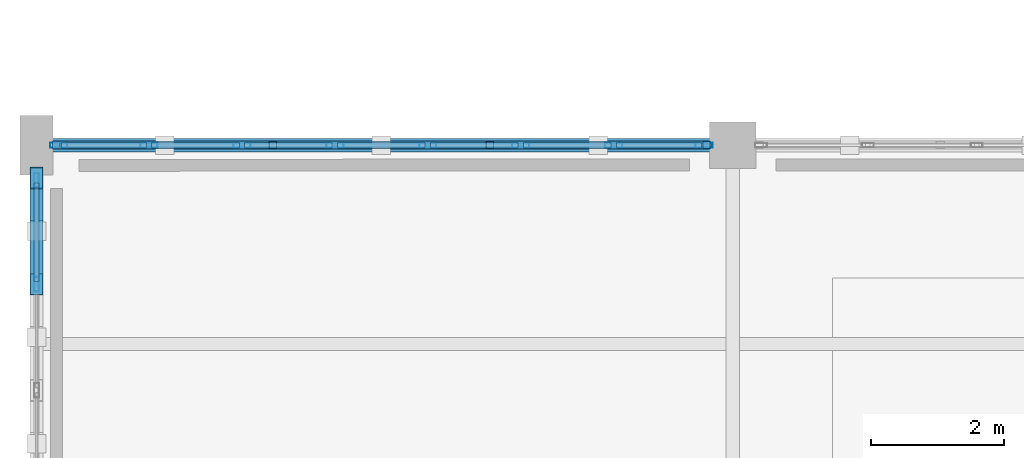
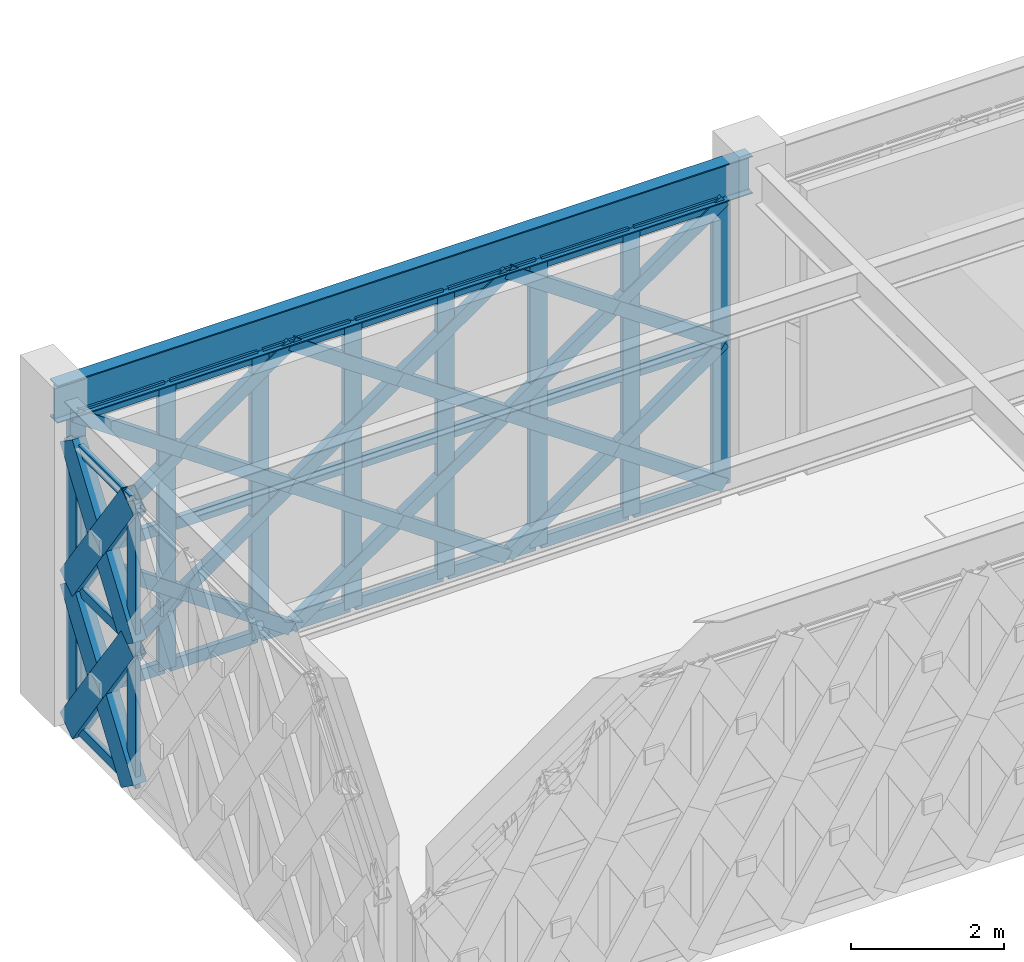
# One storey, part 14 of 72: 58 members, 1 beam, 2 elements without a shape of their own.
"""IFC4 building model written with IfcOpenShell, lengths in metres."""

from ifc_helpers import new_model, si_unit, direction, frame, origin, origin_2d, place, context, subcontext, project, spatial, hollow_rectangle, i_section, extrude, material, material_profile, profile_set, type_object, element, aggregate, save


model = new_model("IFC4")

# Units and contexts
model_context = context("Model", 3, precision=1e-05, world=origin(), true_north=direction((0.0, 1.0)))
body_context = subcontext(model_context, "Body", "Model", "MODEL_VIEW")
ifc_project = project(units=[si_unit("LENGTHUNIT", "METRE"), si_unit("AREAUNIT", "SQUARE_METRE"), si_unit("VOLUMEUNIT", "CUBIC_METRE"), si_unit("PLANEANGLEUNIT", "RADIAN"), si_unit("MASSUNIT", "GRAM", prefix="KILO")], contexts=[model_context])

# Site, building, storey
site_placement = place(None, origin())
site = spatial("IfcSite", under=ifc_project, at=site_placement, CompositionType="ELEMENT")
building_placement = place(site_placement, origin())
building = spatial("IfcBuilding", under=site, at=building_placement, Name="Haizhuo Lancet Aquarium", CompositionType="ELEMENT")
storey_placement = place(building_placement, frame((0.0, 0.0, 21.60009765625)))
storey = spatial("IfcBuildingStorey", under=building, at=storey_placement, Name="L04", CompositionType="ELEMENT", Elevation=21.60009765625)

# Beam
ifc_material_1 = material(Name="Steel S355", Category="steel")
ifc_material_profile_1 = material_profile(ifc_material_1, i_section(OverallWidth=0.199951171875, OverallDepth=0.60009765625, WebThickness=0.010986328125, FlangeThickness=0.01708984375, FilletRadius=0.02197265625, at=origin_2d()), Name="HN 600x200x11x17")
ifc_profile_set_1 = profile_set([ifc_material_profile_1], Name="Steel S355")
beam_type = type_object("IfcBeamType", Name="BM-ST-HN600", PredefinedType="BEAM", material=ifc_profile_set_1)
beam_placement = place(storey_placement, frame((-82.5, -9.0, 4.849853515625), z_axis=(1.0, 0.0, 0.0), x_axis=(0.0, 1.0, 0.0)))
element("IfcBeam", 1, at=beam_placement, inside=storey, type_object=beam_type, Name="L04 V6 primary girder BM-L04-V6-003", PredefinedType="BEAM", context=body_context, shape_type="SweptSolid", body=[
    extrude(i_section(OverallWidth=0.199951171875, OverallDepth=0.60009765625, WebThickness=0.010986328125, FlangeThickness=0.01708984375, FilletRadius=0.02197265625, at=origin_2d()), origin(), (0.0, 0.0, 1.0), 10.5),
])

# Curtain wall, members
ifc_material_2 = material(Name="Aluminium 6063-T6", Category="aluminium")
curtain_wall_type_1 = type_object("IfcCurtainWallType", Name="CWD-8010x4550", PredefinedType="NOTDEFINED", material=ifc_material_2)
curtain_wall_1_placement = place(storey_placement, origin())
curtain_wall_1 = element("IfcCurtainWall", 2, at=curtain_wall_1_placement, inside=storey, type_object=curtain_wall_type_1, Name="L04 curtain wall CW-V6-L04-245", PredefinedType="NOTDEFINED")
ifc_material_profile_2 = material_profile(ifc_material_2, hollow_rectangle(XDim=0.074951171875, YDim=0.219970703125, WallThickness=0.0048828125, at=origin_2d()), Name="ALU-M 75x220x5")
ifc_profile_set_2 = profile_set([ifc_material_profile_2], Name="Aluminium 6063-T6")
member_type_1 = type_object("IfcMemberType", Name="CW-MUL-2", PredefinedType="MULLION", material=ifc_profile_set_2)
member_1_placement = place(storey_placement, frame((-82.5, -11.096923828125, 0.0), z_axis=(0.0, 0.0, 1.0), x_axis=(-1.0, 0.0, 0.0)))
member_1 = element("IfcMember", 3, at=member_1_placement, type_object=member_type_1, Name="CWD-80x45 mullion 5", PredefinedType="MULLION", context=body_context, shape_type="SweptSolid", body=[
    extrude(hollow_rectangle(XDim=0.074951171875, YDim=0.219970703125, WallThickness=0.0048828125, at=origin_2d()), origin(), (0.0, 0.0, 1.0), 4.5498046875),
])
member_2_placement = place(storey_placement, frame((-82.5, -9.531982421875, 0.0), z_axis=(0.0, 0.0, 1.0), x_axis=(-1.0, 0.0, 0.0)))
member_2 = element("IfcMember", 4, at=member_2_placement, type_object=member_type_1, Name="CWD-80x45 mullion 6", PredefinedType="MULLION", context=body_context, shape_type="SweptSolid", body=[
    extrude(hollow_rectangle(XDim=0.074951171875, YDim=0.219970703125, WallThickness=0.0048828125, at=origin_2d()), origin(), (0.0, 0.0, 1.0), 4.5498046875),
])

curtain_wall_type_2 = type_object("IfcCurtainWallType", Name="CWO-9810x4550", PredefinedType="NOTDEFINED", material=ifc_material_2)
curtain_wall_2_placement = place(storey_placement, origin())
curtain_wall_2 = element("IfcCurtainWall", 5, at=curtain_wall_2_placement, inside=storey, type_object=curtain_wall_type_2, Name="L04 curtain wall CW-V6-L04-246", PredefinedType="NOTDEFINED")
ifc_material_profile_3 = material_profile(ifc_material_2, hollow_rectangle(XDim=0.080078125, YDim=0.260009765625, WallThickness=0.0048828125, at=origin_2d()), Name="ALU-M 80x260x5")
ifc_profile_set_3 = profile_set([ifc_material_profile_3], Name="Aluminium 6063-T6")
member_type_2 = type_object("IfcMemberType", Name="CW-MUL-3", PredefinedType="MULLION", material=ifc_profile_set_3)
member_3_placement = place(storey_placement, frame((-82.1650390625, -9.0, 0.0), z_axis=(0.0, 0.0, 1.0), x_axis=(0.0, 1.0, 0.0)))
member_3 = element("IfcMember", 6, at=member_3_placement, type_object=member_type_2, Name="CWO-98x45 mullion 1", PredefinedType="MULLION", context=body_context, shape_type="SweptSolid", body=[
    extrude(hollow_rectangle(XDim=0.080078125, YDim=0.260009765625, WallThickness=0.0048828125, at=origin_2d()), origin(), (0.0, 0.0, 1.0), 4.5498046875),
])
member_4_placement = place(storey_placement, frame((-80.803955078125, -9.0, 0.0), z_axis=(0.0, 0.0, 1.0), x_axis=(0.0, 1.0, 0.0)))
member_4 = element("IfcMember", 7, at=member_4_placement, type_object=member_type_2, Name="CWO-98x45 mullion 2", PredefinedType="MULLION", context=body_context, shape_type="SweptSolid", body=[
    extrude(hollow_rectangle(XDim=0.080078125, YDim=0.260009765625, WallThickness=0.0048828125, at=origin_2d()), origin(), (0.0, 0.0, 1.0), 4.5498046875),
])
member_5_placement = place(storey_placement, frame((-79.402099609375, -9.0, 0.0), z_axis=(0.0, 0.0, 1.0), x_axis=(0.0, 1.0, 0.0)))
member_5 = element("IfcMember", 8, at=member_5_placement, type_object=member_type_2, Name="CWO-98x45 mullion 3", PredefinedType="MULLION", context=body_context, shape_type="SweptSolid", body=[
    extrude(hollow_rectangle(XDim=0.080078125, YDim=0.260009765625, WallThickness=0.0048828125, at=origin_2d()), origin(), (0.0, 0.0, 1.0), 4.5498046875),
])
member_6_placement = place(storey_placement, frame((-78.0009765625, -9.0, 0.0), z_axis=(0.0, 0.0, 1.0), x_axis=(0.0, 1.0, 0.0)))
member_6 = element("IfcMember", 9, at=member_6_placement, type_object=member_type_2, Name="CWO-98x45 mullion 4", PredefinedType="MULLION", context=body_context, shape_type="SweptSolid", body=[
    extrude(hollow_rectangle(XDim=0.080078125, YDim=0.260009765625, WallThickness=0.0048828125, at=origin_2d()), origin(), (0.0, 0.0, 1.0), 4.5498046875),
])
member_7_placement = place(storey_placement, frame((-76.59912109375, -9.0, 0.0), z_axis=(0.0, 0.0, 1.0), x_axis=(0.0, 1.0, 0.0)))
member_7 = element("IfcMember", 10, at=member_7_placement, type_object=member_type_2, Name="CWO-98x45 mullion 5", PredefinedType="MULLION", context=body_context, shape_type="SweptSolid", body=[
    extrude(hollow_rectangle(XDim=0.080078125, YDim=0.260009765625, WallThickness=0.0048828125, at=origin_2d()), origin(), (0.0, 0.0, 1.0), 4.5498046875),
])
member_8_placement = place(storey_placement, frame((-75.197998046875, -9.0, 0.0), z_axis=(0.0, 0.0, 1.0), x_axis=(0.0, 1.0, 0.0)))
member_8 = element("IfcMember", 11, at=member_8_placement, type_object=member_type_2, Name="CWO-98x45 mullion 6", PredefinedType="MULLION", context=body_context, shape_type="SweptSolid", body=[
    extrude(hollow_rectangle(XDim=0.080078125, YDim=0.260009765625, WallThickness=0.0048828125, at=origin_2d()), origin(), (0.0, 0.0, 1.0), 4.5498046875),
])
member_9_placement = place(storey_placement, frame((-73.7958984375, -9.0, 0.0), z_axis=(0.0, 0.0, 1.0), x_axis=(0.0, 1.0, 0.0)))
member_9 = element("IfcMember", 12, at=member_9_placement, type_object=member_type_2, Name="CWO-98x45 mullion 7", PredefinedType="MULLION", context=body_context, shape_type="SweptSolid", body=[
    extrude(hollow_rectangle(XDim=0.080078125, YDim=0.260009765625, WallThickness=0.0048828125, at=origin_2d()), origin(), (0.0, 0.0, 1.0), 4.5498046875),
])
member_10_placement = place(storey_placement, frame((-72.43505859375, -9.0, 0.0), z_axis=(0.0, 0.0, 1.0), x_axis=(0.0, 1.0, 0.0)))
member_10 = element("IfcMember", 13, at=member_10_placement, type_object=member_type_2, Name="CWO-98x45 mullion 8", PredefinedType="MULLION", context=body_context, shape_type="SweptSolid", body=[
    extrude(hollow_rectangle(XDim=0.080078125, YDim=0.260009765625, WallThickness=0.0048828125, at=origin_2d()), origin(), (0.0, 0.0, 1.0), 4.5498046875),
])

# Member
ifc_material_profile_4 = material_profile(ifc_material_2, hollow_rectangle(XDim=0.074951171875, YDim=0.159912109375, WallThickness=0.00390625, at=origin_2d()), Name="ALU-T 75x160x4")
ifc_profile_set_4 = profile_set([ifc_material_profile_4], Name="Aluminium 6063-T6")
member_type_3 = type_object("IfcMemberType", Name="CW-TRN-2", PredefinedType="NOTDEFINED", material=ifc_profile_set_4)
member_11_placement = place(storey_placement, frame((-82.5, -11.05908203125, 0.037841796875), z_axis=(0.0, 1.0, 0.0), x_axis=(-1.0, 0.0, 0.0)))
member_11 = element("IfcMember", 14, at=member_11_placement, type_object=member_type_3, Name="CWD-80x45 transom 5.1", ObjectType="TRANSOM", PredefinedType="USERDEFINED", context=body_context, shape_type="SweptSolid", body=[
    extrude(hollow_rectangle(XDim=0.074951171875, YDim=0.159912109375, WallThickness=0.00390625, at=origin_2d()), origin(), (0.0, 0.0, 1.0), 1.489013671875),
])

member_12_placement = place(storey_placement, frame((-82.5, -11.05908203125, 2.27490234375), z_axis=(0.0, 1.0, 0.0), x_axis=(-1.0, 0.0, 0.0)))
member_12 = element("IfcMember", 15, at=member_12_placement, type_object=member_type_3, Name="CWD-80x45 transom 5.2", ObjectType="TRANSOM", PredefinedType="USERDEFINED", context=body_context, shape_type="SweptSolid", body=[
    extrude(hollow_rectangle(XDim=0.074951171875, YDim=0.159912109375, WallThickness=0.00390625, at=origin_2d()), origin(), (0.0, 0.0, 1.0), 1.489013671875),
])

member_13_placement = place(storey_placement, frame((-82.5, -11.05908203125, 4.511962890625), z_axis=(0.0, 1.0, 0.0), x_axis=(-1.0, 0.0, 0.0)))
member_13 = element("IfcMember", 16, at=member_13_placement, type_object=member_type_3, Name="CWD-80x45 transom 5.3", ObjectType="TRANSOM", PredefinedType="USERDEFINED", context=body_context, shape_type="SweptSolid", body=[
    extrude(hollow_rectangle(XDim=0.074951171875, YDim=0.159912109375, WallThickness=0.00390625, at=origin_2d()), origin(), (0.0, 0.0, 1.0), 1.489013671875),
])

aggregate(curtain_wall_1, [member_1, member_2, member_11, member_12, member_13])

ifc_material_profile_5 = material_profile(ifc_material_2, hollow_rectangle(XDim=0.080078125, YDim=0.18994140625, WallThickness=0.0048828125, at=origin_2d()), Name="ALU-T 80x190x5")
ifc_profile_set_5 = profile_set([ifc_material_profile_5], Name="Aluminium 6063-T6")
member_type_4 = type_object("IfcMemberType", Name="CW-TRN-3", PredefinedType="NOTDEFINED", material=ifc_profile_set_5)
member_14_placement = place(storey_placement, frame((-82.125, -9.0, 0.039794921875), z_axis=(1.0, 0.0, 0.0), x_axis=(0.0, 1.0, 0.0)))
member_14 = element("IfcMember", 17, at=member_14_placement, type_object=member_type_4, Name="CWO-98x45 transom 1.1", ObjectType="TRANSOM", PredefinedType="USERDEFINED", context=body_context, shape_type="SweptSolid", body=[
    extrude(hollow_rectangle(XDim=0.080078125, YDim=0.18994140625, WallThickness=0.0048828125, at=origin_2d()), origin(), (0.0, 0.0, 1.0), 1.281005859375),
])

member_15_placement = place(storey_placement, frame((-82.125, -9.0, 2.27490234375), z_axis=(1.0, 0.0, 0.0), x_axis=(0.0, 1.0, 0.0)))
member_15 = element("IfcMember", 18, at=member_15_placement, type_object=member_type_4, Name="CWO-98x45 transom 1.2", ObjectType="TRANSOM", PredefinedType="USERDEFINED", context=body_context, shape_type="SweptSolid", body=[
    extrude(hollow_rectangle(XDim=0.080078125, YDim=0.18994140625, WallThickness=0.0048828125, at=origin_2d()), origin(), (0.0, 0.0, 1.0), 1.281005859375),
])

member_16_placement = place(storey_placement, frame((-82.125, -9.0, 4.510009765625), z_axis=(1.0, 0.0, 0.0), x_axis=(0.0, 1.0, 0.0)))
member_16 = element("IfcMember", 19, at=member_16_placement, type_object=member_type_4, Name="CWO-98x45 transom 1.3", ObjectType="TRANSOM", PredefinedType="USERDEFINED", context=body_context, shape_type="SweptSolid", body=[
    extrude(hollow_rectangle(XDim=0.080078125, YDim=0.18994140625, WallThickness=0.0048828125, at=origin_2d()), origin(), (0.0, 0.0, 1.0), 1.281005859375),
])

member_17_placement = place(storey_placement, frame((-80.763916015625, -9.0, 0.039794921875), z_axis=(1.0, 0.0, 0.0), x_axis=(0.0, 1.0, 0.0)))
member_17 = element("IfcMember", 20, at=member_17_placement, type_object=member_type_4, Name="CWO-98x45 transom 2.1", ObjectType="TRANSOM", PredefinedType="USERDEFINED", context=body_context, shape_type="SweptSolid", body=[
    extrude(hollow_rectangle(XDim=0.080078125, YDim=0.18994140625, WallThickness=0.0048828125, at=origin_2d()), origin(), (0.0, 0.0, 1.0), 1.322021484375),
])

member_18_placement = place(storey_placement, frame((-80.763916015625, -9.0, 2.27490234375), z_axis=(1.0, 0.0, 0.0), x_axis=(0.0, 1.0, 0.0)))
member_18 = element("IfcMember", 21, at=member_18_placement, type_object=member_type_4, Name="CWO-98x45 transom 2.2", ObjectType="TRANSOM", PredefinedType="USERDEFINED", context=body_context, shape_type="SweptSolid", body=[
    extrude(hollow_rectangle(XDim=0.080078125, YDim=0.18994140625, WallThickness=0.0048828125, at=origin_2d()), origin(), (0.0, 0.0, 1.0), 1.322021484375),
])

member_19_placement = place(storey_placement, frame((-80.763916015625, -9.0, 4.510009765625), z_axis=(1.0, 0.0, 0.0), x_axis=(0.0, 1.0, 0.0)))
member_19 = element("IfcMember", 22, at=member_19_placement, type_object=member_type_4, Name="CWO-98x45 transom 2.3", ObjectType="TRANSOM", PredefinedType="USERDEFINED", context=body_context, shape_type="SweptSolid", body=[
    extrude(hollow_rectangle(XDim=0.080078125, YDim=0.18994140625, WallThickness=0.0048828125, at=origin_2d()), origin(), (0.0, 0.0, 1.0), 1.322021484375),
])

member_20_placement = place(storey_placement, frame((-79.362060546875, -9.0, 0.039794921875), z_axis=(1.0, 0.0, 0.0), x_axis=(0.0, 1.0, 0.0)))
member_20 = element("IfcMember", 23, at=member_20_placement, type_object=member_type_4, Name="CWO-98x45 transom 3.1", ObjectType="TRANSOM", PredefinedType="USERDEFINED", context=body_context, shape_type="SweptSolid", body=[
    extrude(hollow_rectangle(XDim=0.080078125, YDim=0.18994140625, WallThickness=0.0048828125, at=origin_2d()), origin(), (0.0, 0.0, 1.0), 1.321044921875),
])

member_21_placement = place(storey_placement, frame((-79.362060546875, -9.0, 2.27490234375), z_axis=(1.0, 0.0, 0.0), x_axis=(0.0, 1.0, 0.0)))
member_21 = element("IfcMember", 24, at=member_21_placement, type_object=member_type_4, Name="CWO-98x45 transom 3.2", ObjectType="TRANSOM", PredefinedType="USERDEFINED", context=body_context, shape_type="SweptSolid", body=[
    extrude(hollow_rectangle(XDim=0.080078125, YDim=0.18994140625, WallThickness=0.0048828125, at=origin_2d()), origin(), (0.0, 0.0, 1.0), 1.321044921875),
])

member_22_placement = place(storey_placement, frame((-79.362060546875, -9.0, 4.510009765625), z_axis=(1.0, 0.0, 0.0), x_axis=(0.0, 1.0, 0.0)))
member_22 = element("IfcMember", 25, at=member_22_placement, type_object=member_type_4, Name="CWO-98x45 transom 3.3", ObjectType="TRANSOM", PredefinedType="USERDEFINED", context=body_context, shape_type="SweptSolid", body=[
    extrude(hollow_rectangle(XDim=0.080078125, YDim=0.18994140625, WallThickness=0.0048828125, at=origin_2d()), origin(), (0.0, 0.0, 1.0), 1.321044921875),
])

member_23_placement = place(storey_placement, frame((-77.9609375, -9.0, 0.039794921875), z_axis=(1.0, 0.0, 0.0), x_axis=(0.0, 1.0, 0.0)))
member_23 = element("IfcMember", 26, at=member_23_placement, type_object=member_type_4, Name="CWO-98x45 transom 4.1", ObjectType="TRANSOM", PredefinedType="USERDEFINED", context=body_context, shape_type="SweptSolid", body=[
    extrude(hollow_rectangle(XDim=0.080078125, YDim=0.18994140625, WallThickness=0.0048828125, at=origin_2d()), origin(), (0.0, 0.0, 1.0), 1.322021484375),
])

member_24_placement = place(storey_placement, frame((-77.9609375, -9.0, 2.27490234375), z_axis=(1.0, 0.0, 0.0), x_axis=(0.0, 1.0, 0.0)))
member_24 = element("IfcMember", 27, at=member_24_placement, type_object=member_type_4, Name="CWO-98x45 transom 4.2", ObjectType="TRANSOM", PredefinedType="USERDEFINED", context=body_context, shape_type="SweptSolid", body=[
    extrude(hollow_rectangle(XDim=0.080078125, YDim=0.18994140625, WallThickness=0.0048828125, at=origin_2d()), origin(), (0.0, 0.0, 1.0), 1.322021484375),
])

member_25_placement = place(storey_placement, frame((-77.9609375, -9.0, 4.510009765625), z_axis=(1.0, 0.0, 0.0), x_axis=(0.0, 1.0, 0.0)))
member_25 = element("IfcMember", 28, at=member_25_placement, type_object=member_type_4, Name="CWO-98x45 transom 4.3", ObjectType="TRANSOM", PredefinedType="USERDEFINED", context=body_context, shape_type="SweptSolid", body=[
    extrude(hollow_rectangle(XDim=0.080078125, YDim=0.18994140625, WallThickness=0.0048828125, at=origin_2d()), origin(), (0.0, 0.0, 1.0), 1.322021484375),
])

member_26_placement = place(storey_placement, frame((-76.55908203125, -9.0, 0.039794921875), z_axis=(1.0, 0.0, 0.0), x_axis=(0.0, 1.0, 0.0)))
member_26 = element("IfcMember", 29, at=member_26_placement, type_object=member_type_4, Name="CWO-98x45 transom 5.1", ObjectType="TRANSOM", PredefinedType="USERDEFINED", context=body_context, shape_type="SweptSolid", body=[
    extrude(hollow_rectangle(XDim=0.080078125, YDim=0.18994140625, WallThickness=0.0048828125, at=origin_2d()), origin(), (0.0, 0.0, 1.0), 1.321044921875),
])

member_27_placement = place(storey_placement, frame((-76.55908203125, -9.0, 2.27490234375), z_axis=(1.0, 0.0, 0.0), x_axis=(0.0, 1.0, 0.0)))
member_27 = element("IfcMember", 30, at=member_27_placement, type_object=member_type_4, Name="CWO-98x45 transom 5.2", ObjectType="TRANSOM", PredefinedType="USERDEFINED", context=body_context, shape_type="SweptSolid", body=[
    extrude(hollow_rectangle(XDim=0.080078125, YDim=0.18994140625, WallThickness=0.0048828125, at=origin_2d()), origin(), (0.0, 0.0, 1.0), 1.321044921875),
])

member_28_placement = place(storey_placement, frame((-76.55908203125, -9.0, 4.510009765625), z_axis=(1.0, 0.0, 0.0), x_axis=(0.0, 1.0, 0.0)))
member_28 = element("IfcMember", 31, at=member_28_placement, type_object=member_type_4, Name="CWO-98x45 transom 5.3", ObjectType="TRANSOM", PredefinedType="USERDEFINED", context=body_context, shape_type="SweptSolid", body=[
    extrude(hollow_rectangle(XDim=0.080078125, YDim=0.18994140625, WallThickness=0.0048828125, at=origin_2d()), origin(), (0.0, 0.0, 1.0), 1.321044921875),
])

member_29_placement = place(storey_placement, frame((-75.157958984375, -9.0, 0.039794921875), z_axis=(1.0, 0.0, 0.0), x_axis=(0.0, 1.0, 0.0)))
member_29 = element("IfcMember", 32, at=member_29_placement, type_object=member_type_4, Name="CWO-98x45 transom 6.1", ObjectType="TRANSOM", PredefinedType="USERDEFINED", context=body_context, shape_type="SweptSolid", body=[
    extrude(hollow_rectangle(XDim=0.080078125, YDim=0.18994140625, WallThickness=0.0048828125, at=origin_2d()), origin(), (0.0, 0.0, 1.0), 1.322021484375),
])

member_30_placement = place(storey_placement, frame((-75.157958984375, -9.0, 2.27490234375), z_axis=(1.0, 0.0, 0.0), x_axis=(0.0, 1.0, 0.0)))
member_30 = element("IfcMember", 33, at=member_30_placement, type_object=member_type_4, Name="CWO-98x45 transom 6.2", ObjectType="TRANSOM", PredefinedType="USERDEFINED", context=body_context, shape_type="SweptSolid", body=[
    extrude(hollow_rectangle(XDim=0.080078125, YDim=0.18994140625, WallThickness=0.0048828125, at=origin_2d()), origin(), (0.0, 0.0, 1.0), 1.322021484375),
])

member_31_placement = place(storey_placement, frame((-75.157958984375, -9.0, 4.510009765625), z_axis=(1.0, 0.0, 0.0), x_axis=(0.0, 1.0, 0.0)))
member_31 = element("IfcMember", 34, at=member_31_placement, type_object=member_type_4, Name="CWO-98x45 transom 6.3", ObjectType="TRANSOM", PredefinedType="USERDEFINED", context=body_context, shape_type="SweptSolid", body=[
    extrude(hollow_rectangle(XDim=0.080078125, YDim=0.18994140625, WallThickness=0.0048828125, at=origin_2d()), origin(), (0.0, 0.0, 1.0), 1.322021484375),
])

member_32_placement = place(storey_placement, frame((-73.756103515625, -9.0, 0.039794921875), z_axis=(1.0, 0.0, 0.0), x_axis=(0.0, 1.0, 0.0)))
member_32 = element("IfcMember", 35, at=member_32_placement, type_object=member_type_4, Name="CWO-98x45 transom 7.1", ObjectType="TRANSOM", PredefinedType="USERDEFINED", context=body_context, shape_type="SweptSolid", body=[
    extrude(hollow_rectangle(XDim=0.080078125, YDim=0.18994140625, WallThickness=0.0048828125, at=origin_2d()), origin(), (0.0, 0.0, 1.0), 1.281005859375),
])

member_33_placement = place(storey_placement, frame((-73.756103515625, -9.0, 2.27490234375), z_axis=(1.0, 0.0, 0.0), x_axis=(0.0, 1.0, 0.0)))
member_33 = element("IfcMember", 36, at=member_33_placement, type_object=member_type_4, Name="CWO-98x45 transom 7.2", ObjectType="TRANSOM", PredefinedType="USERDEFINED", context=body_context, shape_type="SweptSolid", body=[
    extrude(hollow_rectangle(XDim=0.080078125, YDim=0.18994140625, WallThickness=0.0048828125, at=origin_2d()), origin(), (0.0, 0.0, 1.0), 1.281005859375),
])

member_34_placement = place(storey_placement, frame((-73.756103515625, -9.0, 4.510009765625), z_axis=(1.0, 0.0, 0.0), x_axis=(0.0, 1.0, 0.0)))
member_34 = element("IfcMember", 37, at=member_34_placement, type_object=member_type_4, Name="CWO-98x45 transom 7.3", ObjectType="TRANSOM", PredefinedType="USERDEFINED", context=body_context, shape_type="SweptSolid", body=[
    extrude(hollow_rectangle(XDim=0.080078125, YDim=0.18994140625, WallThickness=0.0048828125, at=origin_2d()), origin(), (0.0, 0.0, 1.0), 1.281005859375),
])

aggregate(curtain_wall_2, [member_3, member_4, member_5, member_6, member_7, member_8, member_9, member_10, member_14, member_15, member_16, member_17, member_18, member_19, member_20, member_21, member_22, member_23, member_24, member_25, member_26, member_27, member_28, member_29, member_30, member_31, member_32, member_33, member_34])

# Members
ifc_material_profile_6 = material_profile(ifc_material_1, hollow_rectangle(XDim=0.1201171875, YDim=0.199951171875, WallThickness=0.008056640625, at=origin_2d()), Name="RHS 120x200x8")
ifc_profile_set_6 = profile_set([ifc_material_profile_6], Name="Steel S355")
member_type_5 = type_object("IfcMemberType", Name="MEM-LB-RHS120x200", PredefinedType="BRACE", material=ifc_profile_set_6)
member_35_placement = place(storey_placement, frame((-82.205078125, -9.0, 0.0), z_axis=(0.820892709749, 0.0, 0.571082445083), x_axis=(0.0, 1.0, 0.0)))
element("IfcMember", 38, at=member_35_placement, inside=storey, type_object=member_type_5, Name="Gothic lancet continuous diagonal brace CW-V6-L04-246 1A", PredefinedType="BRACE", context=body_context, shape_type="SweptSolid", body=[
    extrude(hollow_rectangle(XDim=0.1201171875, YDim=0.199951171875, WallThickness=0.008056640625, at=origin_2d()), origin(), (0.0, 0.0, 1.0), 3.9833984375),
])
member_36_placement = place(storey_placement, frame((-78.93505859375, -9.0, 0.0), z_axis=(-0.820777782423, 0.0, 0.571247609956), x_axis=(0.0, -1.0, 0.0)))
element("IfcMember", 39, at=member_36_placement, inside=storey, type_object=member_type_5, Name="Gothic lancet split diagonal brace CW-V6-L04-246 1B1", PredefinedType="BRACE", context=body_context, shape_type="SweptSolid", body=[
    extrude(hollow_rectangle(XDim=0.1201171875, YDim=0.199951171875, WallThickness=0.008056640625, at=origin_2d()), origin(), (0.0, 0.0, 1.0), 1.991943359375),
])
member_37_placement = place(storey_placement, frame((-80.570068359375, -9.0, 1.137939453125), z_axis=(-0.821007636009, 0.0, 0.570917210825), x_axis=(0.0, -1.0, 0.0)))
element("IfcMember", 40, at=member_37_placement, inside=storey, type_object=member_type_5, Name="Gothic lancet split diagonal brace CW-V6-L04-246 1B2", PredefinedType="BRACE", context=body_context, shape_type="SweptSolid", body=[
    extrude(hollow_rectangle(XDim=0.1201171875, YDim=0.199951171875, WallThickness=0.008056640625, at=origin_2d()), origin(), (0.0, 0.0, 1.0), 1.991455078125),
])
member_38_placement = place(storey_placement, frame((-82.205078125, -9.0, 2.27490234375), z_axis=(0.820892709749, 0.0, 0.571082445083), x_axis=(0.0, 1.0, 0.0)))
element("IfcMember", 41, at=member_38_placement, inside=storey, type_object=member_type_5, Name="Gothic lancet continuous diagonal brace CW-V6-L04-246 2A", PredefinedType="BRACE", context=body_context, shape_type="SweptSolid", body=[
    extrude(hollow_rectangle(XDim=0.1201171875, YDim=0.199951171875, WallThickness=0.008056640625, at=origin_2d()), origin(), (0.0, 0.0, 1.0), 3.9833984375),
])
member_39_placement = place(storey_placement, frame((-78.93505859375, -9.0, 2.27490234375), z_axis=(-0.821007636009, 0.0, 0.570917210825), x_axis=(0.0, -1.0, 0.0)))
element("IfcMember", 42, at=member_39_placement, inside=storey, type_object=member_type_5, Name="Gothic lancet split diagonal brace CW-V6-L04-246 2B1", PredefinedType="BRACE", context=body_context, shape_type="SweptSolid", body=[
    extrude(hollow_rectangle(XDim=0.1201171875, YDim=0.199951171875, WallThickness=0.008056640625, at=origin_2d()), origin(), (0.0, 0.0, 1.0), 1.991455078125),
])
member_40_placement = place(storey_placement, frame((-80.570068359375, -9.0, 3.411865234375), z_axis=(-0.820777782423, 0.0, 0.571247609956), x_axis=(0.0, -1.0, 0.0)))
element("IfcMember", 43, at=member_40_placement, inside=storey, type_object=member_type_5, Name="Gothic lancet split diagonal brace CW-V6-L04-246 2B2", PredefinedType="BRACE", context=body_context, shape_type="SweptSolid", body=[
    extrude(hollow_rectangle(XDim=0.1201171875, YDim=0.199951171875, WallThickness=0.008056640625, at=origin_2d()), origin(), (0.0, 0.0, 1.0), 1.991943359375),
])
member_41_placement = place(storey_placement, frame((-78.93505859375, -9.0, 0.0), z_axis=(0.820892709749, 0.0, 0.571082445083), x_axis=(0.0, 1.0, 0.0)))
element("IfcMember", 44, at=member_41_placement, inside=storey, type_object=member_type_5, Name="Gothic lancet continuous diagonal brace CW-V6-L04-246 3A", PredefinedType="BRACE", context=body_context, shape_type="SweptSolid", body=[
    extrude(hollow_rectangle(XDim=0.1201171875, YDim=0.199951171875, WallThickness=0.008056640625, at=origin_2d()), origin(), (0.0, 0.0, 1.0), 3.9833984375),
])
member_42_placement = place(storey_placement, frame((-75.6650390625, -9.0, 0.0), z_axis=(-0.820777782423, 0.0, 0.571247609956), x_axis=(0.0, -1.0, 0.0)))
element("IfcMember", 45, at=member_42_placement, inside=storey, type_object=member_type_5, Name="Gothic lancet split diagonal brace CW-V6-L04-246 3B1", PredefinedType="BRACE", context=body_context, shape_type="SweptSolid", body=[
    extrude(hollow_rectangle(XDim=0.1201171875, YDim=0.199951171875, WallThickness=0.008056640625, at=origin_2d()), origin(), (0.0, 0.0, 1.0), 1.991943359375),
])
member_43_placement = place(storey_placement, frame((-77.300048828125, -9.0, 1.137939453125), z_axis=(-0.821007636009, 0.0, 0.570917210825), x_axis=(0.0, -1.0, 0.0)))
element("IfcMember", 46, at=member_43_placement, inside=storey, type_object=member_type_5, Name="Gothic lancet split diagonal brace CW-V6-L04-246 3B2", PredefinedType="BRACE", context=body_context, shape_type="SweptSolid", body=[
    extrude(hollow_rectangle(XDim=0.1201171875, YDim=0.199951171875, WallThickness=0.008056640625, at=origin_2d()), origin(), (0.0, 0.0, 1.0), 1.991455078125),
])
member_44_placement = place(storey_placement, frame((-78.93505859375, -9.0, 2.27490234375), z_axis=(0.820892709749, 0.0, 0.571082445083), x_axis=(0.0, 1.0, 0.0)))
element("IfcMember", 47, at=member_44_placement, inside=storey, type_object=member_type_5, Name="Gothic lancet continuous diagonal brace CW-V6-L04-246 4A", PredefinedType="BRACE", context=body_context, shape_type="SweptSolid", body=[
    extrude(hollow_rectangle(XDim=0.1201171875, YDim=0.199951171875, WallThickness=0.008056640625, at=origin_2d()), origin(), (0.0, 0.0, 1.0), 3.9833984375),
])
member_45_placement = place(storey_placement, frame((-75.6650390625, -9.0, 2.27490234375), z_axis=(-0.821007636009, 0.0, 0.570917210825), x_axis=(0.0, -1.0, 0.0)))
element("IfcMember", 48, at=member_45_placement, inside=storey, type_object=member_type_5, Name="Gothic lancet split diagonal brace CW-V6-L04-246 4B1", PredefinedType="BRACE", context=body_context, shape_type="SweptSolid", body=[
    extrude(hollow_rectangle(XDim=0.1201171875, YDim=0.199951171875, WallThickness=0.008056640625, at=origin_2d()), origin(), (0.0, 0.0, 1.0), 1.991455078125),
])
member_46_placement = place(storey_placement, frame((-77.300048828125, -9.0, 3.411865234375), z_axis=(-0.820777782423, 0.0, 0.571247609956), x_axis=(0.0, -1.0, 0.0)))
element("IfcMember", 49, at=member_46_placement, inside=storey, type_object=member_type_5, Name="Gothic lancet split diagonal brace CW-V6-L04-246 4B2", PredefinedType="BRACE", context=body_context, shape_type="SweptSolid", body=[
    extrude(hollow_rectangle(XDim=0.1201171875, YDim=0.199951171875, WallThickness=0.008056640625, at=origin_2d()), origin(), (0.0, 0.0, 1.0), 1.991943359375),
])
member_47_placement = place(storey_placement, frame((-75.6650390625, -9.0, 0.0), z_axis=(0.820892709749, 0.0, 0.571082445083), x_axis=(0.0, 1.0, 0.0)))
element("IfcMember", 50, at=member_47_placement, inside=storey, type_object=member_type_5, Name="Gothic lancet continuous diagonal brace CW-V6-L04-246 5A", PredefinedType="BRACE", context=body_context, shape_type="SweptSolid", body=[
    extrude(hollow_rectangle(XDim=0.1201171875, YDim=0.199951171875, WallThickness=0.008056640625, at=origin_2d()), origin(), (0.0, 0.0, 1.0), 3.9833984375),
])
member_48_placement = place(storey_placement, frame((-72.39501953125, -9.0, 0.0), z_axis=(-0.820777782423, 0.0, 0.571247609956), x_axis=(0.0, -1.0, 0.0)))
element("IfcMember", 51, at=member_48_placement, inside=storey, type_object=member_type_5, Name="Gothic lancet split diagonal brace CW-V6-L04-246 5B1", PredefinedType="BRACE", context=body_context, shape_type="SweptSolid", body=[
    extrude(hollow_rectangle(XDim=0.1201171875, YDim=0.199951171875, WallThickness=0.008056640625, at=origin_2d()), origin(), (0.0, 0.0, 1.0), 1.991943359375),
])
member_49_placement = place(storey_placement, frame((-74.030029296875, -9.0, 1.137939453125), z_axis=(-0.821007636009, 0.0, 0.570917210825), x_axis=(0.0, -1.0, 0.0)))
element("IfcMember", 52, at=member_49_placement, inside=storey, type_object=member_type_5, Name="Gothic lancet split diagonal brace CW-V6-L04-246 5B2", PredefinedType="BRACE", context=body_context, shape_type="SweptSolid", body=[
    extrude(hollow_rectangle(XDim=0.1201171875, YDim=0.199951171875, WallThickness=0.008056640625, at=origin_2d()), origin(), (0.0, 0.0, 1.0), 1.991455078125),
])
member_50_placement = place(storey_placement, frame((-75.6650390625, -9.0, 2.27490234375), z_axis=(0.820892709749, 0.0, 0.571082445083), x_axis=(0.0, 1.0, 0.0)))
element("IfcMember", 53, at=member_50_placement, inside=storey, type_object=member_type_5, Name="Gothic lancet continuous diagonal brace CW-V6-L04-246 6A", PredefinedType="BRACE", context=body_context, shape_type="SweptSolid", body=[
    extrude(hollow_rectangle(XDim=0.1201171875, YDim=0.199951171875, WallThickness=0.008056640625, at=origin_2d()), origin(), (0.0, 0.0, 1.0), 3.9833984375),
])
member_51_placement = place(storey_placement, frame((-72.39501953125, -9.0, 2.27490234375), z_axis=(-0.821007636009, 0.0, 0.570917210825), x_axis=(0.0, -1.0, 0.0)))
element("IfcMember", 54, at=member_51_placement, inside=storey, type_object=member_type_5, Name="Gothic lancet split diagonal brace CW-V6-L04-246 6B1", PredefinedType="BRACE", context=body_context, shape_type="SweptSolid", body=[
    extrude(hollow_rectangle(XDim=0.1201171875, YDim=0.199951171875, WallThickness=0.008056640625, at=origin_2d()), origin(), (0.0, 0.0, 1.0), 1.991455078125),
])
member_52_placement = place(storey_placement, frame((-74.030029296875, -9.0, 3.411865234375), z_axis=(-0.820777782423, 0.0, 0.571247609956), x_axis=(0.0, -1.0, 0.0)))
element("IfcMember", 55, at=member_52_placement, inside=storey, type_object=member_type_5, Name="Gothic lancet split diagonal brace CW-V6-L04-246 6B2", PredefinedType="BRACE", context=body_context, shape_type="SweptSolid", body=[
    extrude(hollow_rectangle(XDim=0.1201171875, YDim=0.199951171875, WallThickness=0.008056640625, at=origin_2d()), origin(), (0.0, 0.0, 1.0), 1.991943359375),
])
ifc_material_profile_7 = material_profile(ifc_material_1, hollow_rectangle(XDim=0.199951171875, YDim=0.39990234375, WallThickness=0.011962890625, at=origin_2d()), Name="RHS 200x400x12")
ifc_profile_set_7 = profile_set([ifc_material_profile_7], Name="Steel S355")
member_type_6 = type_object("IfcMemberType", Name="MEM-LB-RHS200x400", PredefinedType="BRACE", material=ifc_profile_set_7)
member_53_placement = place(storey_placement, frame((-82.5, -11.096923828125, 0.0), z_axis=(0.0, 0.575721611836, 0.817645782516), x_axis=(-1.0, 0.0, 0.0)))
element("IfcMember", 56, at=member_53_placement, inside=storey, type_object=member_type_6, Name="Gothic lancet continuous diagonal brace CW-V6-L04-245 9A", PredefinedType="BRACE", context=body_context, shape_type="SweptSolid", body=[
    extrude(hollow_rectangle(XDim=0.199951171875, YDim=0.39990234375, WallThickness=0.011962890625, at=origin_2d()), origin(), (0.0, 0.0, 1.0), 2.7822265625),
])
member_54_placement = place(storey_placement, frame((-82.5, -9.4951171875, 0.0), z_axis=(0.0, -0.57549775234, 0.817803360871), x_axis=(1.0, 0.0, 0.0)))
element("IfcMember", 57, at=member_54_placement, inside=storey, type_object=member_type_6, Name="Gothic lancet split diagonal brace CW-V6-L04-245 9B1", PredefinedType="BRACE", context=body_context, shape_type="SweptSolid", body=[
    extrude(hollow_rectangle(XDim=0.199951171875, YDim=0.39990234375, WallThickness=0.011962890625, at=origin_2d()), origin(), (0.0, 0.0, 1.0), 1.391357421875),
])
member_55_placement = place(storey_placement, frame((-82.5, -10.2958984375, 1.137939453125), z_axis=(0.0, -0.575945534052, 0.817488068296), x_axis=(1.0, 0.0, 0.0)))
element("IfcMember", 58, at=member_55_placement, inside=storey, type_object=member_type_6, Name="Gothic lancet split diagonal brace CW-V6-L04-245 9B2", PredefinedType="BRACE", context=body_context, shape_type="SweptSolid", body=[
    extrude(hollow_rectangle(XDim=0.199951171875, YDim=0.39990234375, WallThickness=0.011962890625, at=origin_2d()), origin(), (0.0, 0.0, 1.0), 1.390869140625),
])
member_56_placement = place(storey_placement, frame((-82.5, -11.096923828125, 2.27490234375), z_axis=(0.0, 0.575721611836, 0.817645782516), x_axis=(-1.0, 0.0, 0.0)))
element("IfcMember", 59, at=member_56_placement, inside=storey, type_object=member_type_6, Name="Gothic lancet continuous diagonal brace CW-V6-L04-245 10A", PredefinedType="BRACE", context=body_context, shape_type="SweptSolid", body=[
    extrude(hollow_rectangle(XDim=0.199951171875, YDim=0.39990234375, WallThickness=0.011962890625, at=origin_2d()), origin(), (0.0, 0.0, 1.0), 2.7822265625),
])
member_57_placement = place(storey_placement, frame((-82.5, -9.4951171875, 2.27490234375), z_axis=(0.0, -0.575828205451, 0.817570717313), x_axis=(1.0, 0.0, 0.0)))
element("IfcMember", 60, at=member_57_placement, inside=storey, type_object=member_type_6, Name="Gothic lancet split diagonal brace CW-V6-L04-245 10B1", PredefinedType="BRACE", context=body_context, shape_type="SweptSolid", body=[
    extrude(hollow_rectangle(XDim=0.199951171875, YDim=0.39990234375, WallThickness=0.011962890625, at=origin_2d()), origin(), (0.0, 0.0, 1.0), 1.390625),
])
member_58_placement = place(storey_placement, frame((-82.5, -10.2958984375, 3.411865234375), z_axis=(0.0, -0.575615080373, 0.817720783182), x_axis=(1.0, 0.0, 0.0)))
element("IfcMember", 61, at=member_58_placement, inside=storey, type_object=member_type_6, Name="Gothic lancet split diagonal brace CW-V6-L04-245 10B2", PredefinedType="BRACE", context=body_context, shape_type="SweptSolid", body=[
    extrude(hollow_rectangle(XDim=0.199951171875, YDim=0.39990234375, WallThickness=0.011962890625, at=origin_2d()), origin(), (0.0, 0.0, 1.0), 1.3916015625),
])

save(model, "model.ifc")
